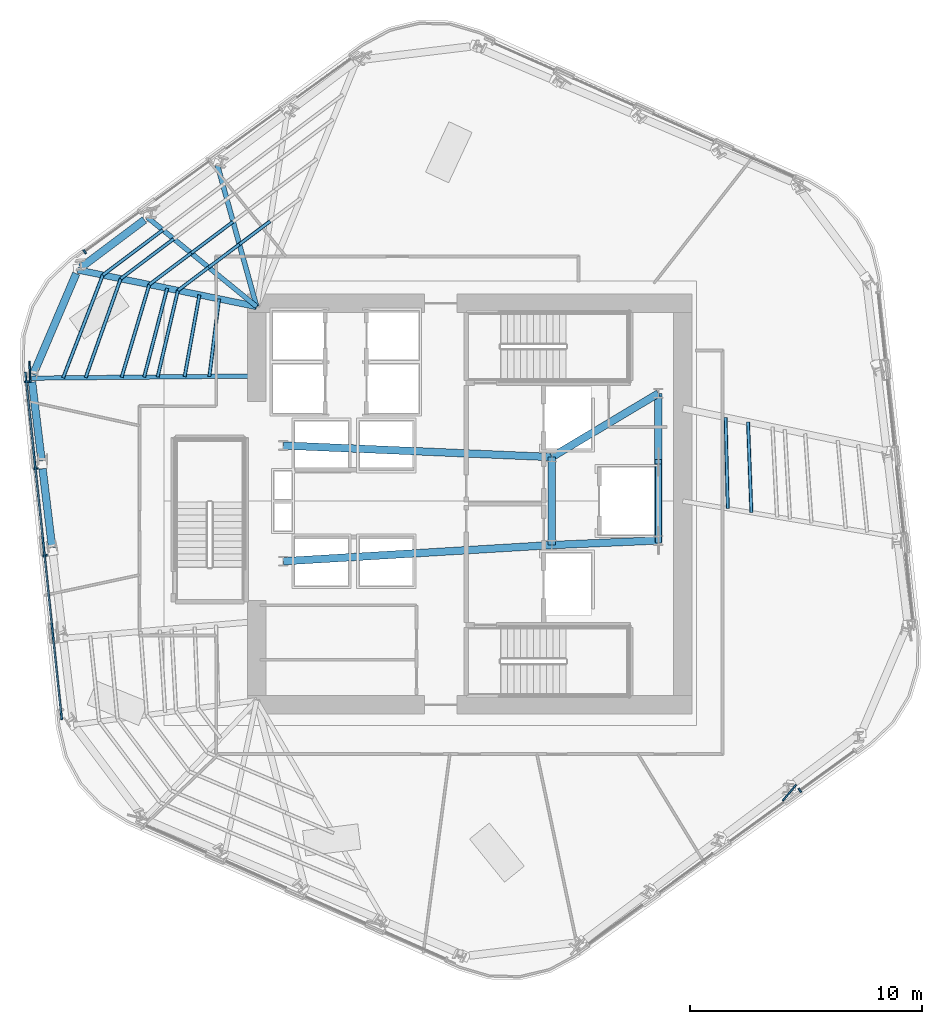
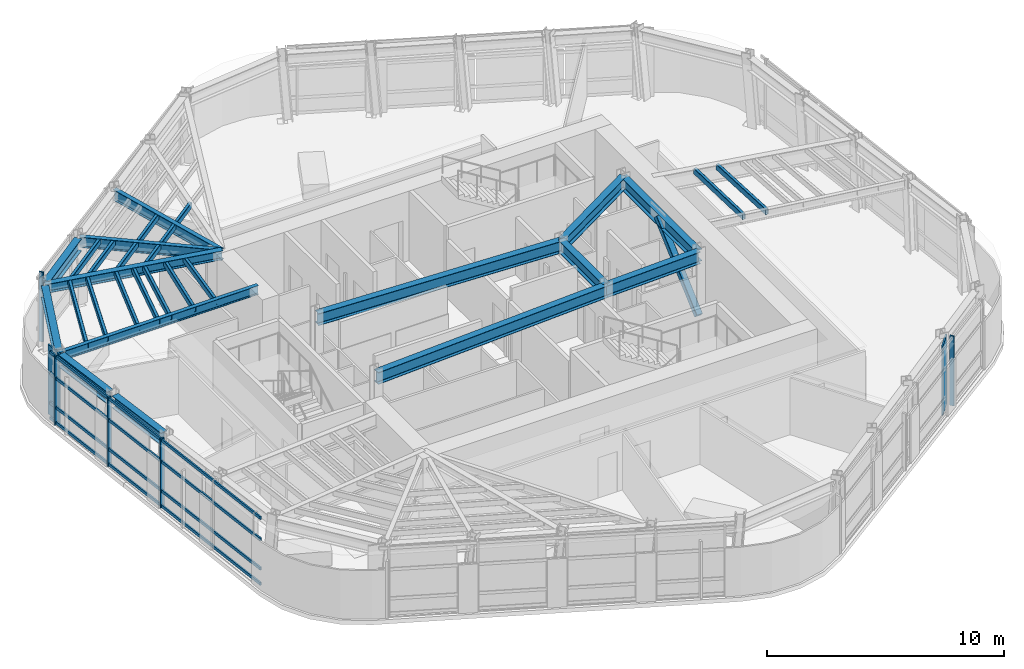
# One storey, part 4 of 14: 28 members, 14 beams, 3 elements without a shape of their own.
"""IFC4 building model written with IfcOpenShell, lengths in metres."""

from ifc_helpers import new_model, si_unit, direction, frame, origin, origin_2d, place, context, subcontext, project, spatial, rectangle, hollow_rectangle, i_section, extrude, material, layer, layer_set, material_profile, profile_set, type_object, element, aggregate, save


model = new_model("IFC4")

# Units and contexts
model_context = context("Model", 3, precision=1e-05, world=origin(), true_north=direction((0.0, 1.0)))
body_context = subcontext(model_context, "Body", "Model", "MODEL_VIEW")
ifc_project = project(units=[si_unit("LENGTHUNIT", "METRE"), si_unit("AREAUNIT", "SQUARE_METRE"), si_unit("VOLUMEUNIT", "CUBIC_METRE"), si_unit("PLANEANGLEUNIT", "RADIAN"), si_unit("MASSUNIT", "GRAM", prefix="KILO")], contexts=[model_context])

# Site, building, storey
site_placement = place(None, origin())
site = spatial("IfcSite", under=ifc_project, at=site_placement, CompositionType="ELEMENT")
building_placement = place(site_placement, origin())
building = spatial("IfcBuilding", under=site, at=building_placement, Name="Valkerne Bourse Tower", CompositionType="ELEMENT")
storey_placement = place(building_placement, frame((0.0, 0.0, 178.0)))
storey = spatial("IfcBuildingStorey", under=building, at=storey_placement, Name="L45", CompositionType="ELEMENT", Elevation=178.0)

# Beams
ifc_material_1 = material(Name="Steel ASTM A992", Category="steel")
ifc_material_profile_1 = material_profile(ifc_material_1, i_section(OverallWidth=0.1904296875, OverallDepth=0.457275390625, WebThickness=0.009033203125, FlangeThickness=0.014404296875, FilletRadius=0.01513671875, at=origin_2d()), Name="W18X50")
ifc_profile_set_1 = profile_set([ifc_material_profile_1], Name="Steel ASTM A992")
beam_type_1 = type_object("IfcBeamType", Name="BM-W18X50", PredefinedType="JOIST", material=ifc_profile_set_1)
beam_1_placement = place(storey_placement, frame((27.882080078125, 32.3076171875, 3.351318359375), z_axis=(0.999954913245, 0.009495866278, 0.0), x_axis=(-0.009495866278, 0.999954913245, 0.0)))
element("IfcBeam", 1, at=beam_1_placement, inside=storey, type_object=beam_type_1, Name="L45 Radial Composite Floor Beam 10", PredefinedType="JOIST", context=body_context, shape_type="SweptSolid", body=[
    extrude(i_section(OverallWidth=0.1904296875, OverallDepth=0.457275390625, WebThickness=0.009033203125, FlangeThickness=0.014404296875, FilletRadius=0.01513671875, at=origin_2d()), origin(), (0.0, 0.0, 1.0), 9.718505859375),
])
ifc_material_profile_2 = material_profile(ifc_material_1, i_section(OverallWidth=0.279296875, OverallDepth=0.46240234375, WebThickness=0.0107421875, FlangeThickness=0.017333984375, FilletRadius=0.017822265625, at=origin_2d()), Name="W18X76")
ifc_profile_set_2 = profile_set([ifc_material_profile_2], Name="Steel ASTM A992")
beam_type_2 = type_object("IfcBeamType", Name="BM-W18X76", PredefinedType="BEAM", material=ifc_profile_set_2)
beam_2_placement = place(storey_placement, frame((29.875244140625, 36.98046875, 3.348876953125), z_axis=(0.979702910642, -0.200454999636, 0.0), x_axis=(0.200454999636, 0.979702910642, 0.0)))
element("IfcBeam", 2, at=beam_2_placement, inside=storey, type_object=beam_type_2, Name="L45 Radial Composite Floor Beam 09", PredefinedType="BEAM", context=body_context, shape_type="SweptSolid", body=[
    extrude(i_section(OverallWidth=0.279296875, OverallDepth=0.46240234375, WebThickness=0.0107421875, FlangeThickness=0.017333984375, FilletRadius=0.017822265625, at=origin_2d()), origin(), (0.0, 0.0, 1.0), 7.885009765625),
])
ifc_material_profile_3 = material_profile(ifc_material_1, i_section(OverallWidth=0.209228515625, OverallDepth=0.533447265625, WebThickness=0.01025390625, FlangeThickness=0.015625, FilletRadius=0.017822265625, at=origin_2d()), Name="W21X62")
ifc_profile_set_3 = profile_set([ifc_material_profile_3], Name="Steel ASTM A992")
beam_type_3 = type_object("IfcBeamType", Name="BM-W21X62", PredefinedType="JOIST", material=ifc_profile_set_3)
beam_3_placement = place(storey_placement, frame((32.890869140625, 39.24462890625, 3.313232421875), z_axis=(0.774624261904, -0.632421736557, 0.0), x_axis=(0.632421736557, 0.774624261904, 0.0)))
element("IfcBeam", 3, at=beam_3_placement, inside=storey, type_object=beam_type_3, Name="L45 Radial Composite Floor Beam 08", PredefinedType="JOIST", context=body_context, shape_type="SweptSolid", body=[
    extrude(i_section(OverallWidth=0.209228515625, OverallDepth=0.533447265625, WebThickness=0.01025390625, FlangeThickness=0.015625, FilletRadius=0.017822265625, at=origin_2d()), origin(), (0.0, 0.0, 1.0), 6.079345703125),
])
ifc_material_profile_4 = material_profile(ifc_material_1, i_section(OverallWidth=0.2138671875, OverallDepth=0.548583984375, WebThickness=0.0146484375, FlangeThickness=0.023681640625, FilletRadius=0.017822265625, at=origin_2d()), Name="W21X93")
ifc_profile_set_4 = profile_set([ifc_material_profile_4], Name="Steel ASTM A992")
beam_type_4 = type_object("IfcBeamType", Name="BM-W21X93", PredefinedType="BEAM", material=ifc_profile_set_4)
beam_4_placement = place(storey_placement, frame((35.906494140625, 41.5087890625, 3.3056640625), z_axis=(0.267159172024, -0.963652414932, 0.0), x_axis=(0.963652414932, 0.267159172024, 0.0)))
element("IfcBeam", 4, at=beam_4_placement, inside=storey, type_object=beam_type_4, Name="L45 Radial Composite Floor Beam 07", PredefinedType="BEAM", context=body_context, shape_type="SweptSolid", body=[
    extrude(i_section(OverallWidth=0.2138671875, OverallDepth=0.548583984375, WebThickness=0.0146484375, FlangeThickness=0.023681640625, FilletRadius=0.017822265625, at=origin_2d()), origin(), (0.0, 0.0, 1.0), 6.33935546875),
])
ifc_material_profile_5 = material_profile(ifc_material_1, i_section(OverallWidth=0.3251953125, OverallDepth=0.612060546875, WebThickness=0.0126953125, FlangeThickness=0.01904296875, FilletRadius=0.020263671875, at=origin_2d()), Name="W24X104")
ifc_profile_set_5 = profile_set([ifc_material_profile_5], Name="Steel ASTM A992")
beam_type_5 = type_object("IfcBeamType", Name="BM-W24X104", PredefinedType="BEAM", material=ifc_profile_set_5)
beam_5_placement = place(storey_placement, frame((50.35009765625, 25.10009765625, 3.27392578125), z_axis=(0.0, 1.0, 0.0), x_axis=(-1.0, 0.0, 0.0)))
element("IfcBeam", 5, at=beam_5_placement, inside=storey, type_object=beam_type_5, Name="L45 Core Frame Girder CG-CE", PredefinedType="BEAM", context=body_context, shape_type="SweptSolid", body=[
    extrude(i_section(OverallWidth=0.3251953125, OverallDepth=0.612060546875, WebThickness=0.0126953125, FlangeThickness=0.01904296875, FilletRadius=0.020263671875, at=origin_2d()), origin(), (0.0, 0.0, 1.0), 3.7998046875),
])
beam_6_placement = place(storey_placement, frame((50.35009765625, 25.10009765625, 3.27392578125), z_axis=(0.999056558506, 0.043428019819, 0.0), x_axis=(-0.043428019819, 0.999056558506, 0.0)))
element("IfcBeam", 6, at=beam_6_placement, inside=storey, type_object=beam_type_5, Name="L45 Core Frame Girder CG-SE", PredefinedType="BEAM", context=body_context, shape_type="SweptSolid", body=[
    extrude(i_section(OverallWidth=0.3251953125, OverallDepth=0.612060546875, WebThickness=0.0126953125, FlangeThickness=0.01904296875, FilletRadius=0.020263671875, at=origin_2d()), origin(), (0.0, 0.0, 1.0), 4.604248046875),
])
beam_7_placement = place(storey_placement, frame((50.35009765625, 28.89990234375, 3.27392578125), z_axis=(0.858307823492, 0.513135148019, 0.0), x_axis=(-0.513135148019, 0.858307823492, 0.0)))
element("IfcBeam", 7, at=beam_7_placement, inside=storey, type_object=beam_type_5, Name="L45 Core Frame Girder CG-NE", PredefinedType="BEAM", context=body_context, shape_type="SweptSolid", body=[
    extrude(i_section(OverallWidth=0.3251953125, OverallDepth=0.612060546875, WebThickness=0.0126953125, FlangeThickness=0.01904296875, FilletRadius=0.020263671875, at=origin_2d()), origin(), (0.0, 0.0, 1.0), 5.359130859375),
])
beam_8_placement = place(storey_placement, frame((54.949951171875, 25.300048828125, 3.27392578125), z_axis=(0.0, 1.0, 0.0), x_axis=(-1.0, 0.0, 0.0)))
element("IfcBeam", 8, at=beam_8_placement, inside=storey, type_object=beam_type_5, Name="L45 Core Frame Girder CG-EE", PredefinedType="BEAM", context=body_context, shape_type="SweptSolid", body=[
    extrude(i_section(OverallWidth=0.3251953125, OverallDepth=0.612060546875, WebThickness=0.0126953125, FlangeThickness=0.01904296875, FilletRadius=0.020263671875, at=origin_2d()), origin(), (0.0, 0.0, 1.0), 6.349853515625),
])
beam_9_placement = place(storey_placement, frame((38.75, 24.39990234375, 3.27392578125), z_axis=(0.998183228389, 0.060251494276, 0.0), x_axis=(-0.060251494276, 0.998183228389, 0.0)))
element("IfcBeam", 9, at=beam_9_placement, inside=storey, type_object=beam_type_5, Name="L45 Core Frame Girder CG-SW", PredefinedType="BEAM", context=body_context, shape_type="SweptSolid", body=[
    extrude(i_section(OverallWidth=0.3251953125, OverallDepth=0.612060546875, WebThickness=0.0126953125, FlangeThickness=0.01904296875, FilletRadius=0.020263671875, at=origin_2d()), origin(), (0.0, 0.0, 1.0), 11.62109375),
])
beam_10_placement = place(storey_placement, frame((38.75, 29.39990234375, 3.27392578125), z_axis=(0.999072354402, -0.043063101019, 0.0), x_axis=(0.043063101019, 0.999072354402, 0.0)))
element("IfcBeam", 10, at=beam_10_placement, inside=storey, type_object=beam_type_5, Name="L45 Core Frame Girder CG-NW", PredefinedType="BEAM", context=body_context, shape_type="SweptSolid", body=[
    extrude(i_section(OverallWidth=0.3251953125, OverallDepth=0.612060546875, WebThickness=0.0126953125, FlangeThickness=0.01904296875, FilletRadius=0.020263671875, at=origin_2d()), origin(), (0.0, 0.0, 1.0), 11.61083984375),
])
ifc_material_profile_6 = material_profile(ifc_material_1, i_section(OverallWidth=0.32763671875, OverallDepth=0.62744140625, WebThickness=0.0166015625, FlangeThickness=0.027587890625, FilletRadius=0.020263671875, at=origin_2d()), Name="W24X146")
ifc_profile_set_6 = profile_set([ifc_material_profile_6], Name="Steel ASTM A992")
beam_type_6 = type_object("IfcBeamType", Name="BM-W24X146", PredefinedType="SPANDREL", material=ifc_profile_set_6)
beam_11_placement = place(storey_placement, frame((32.7548828125, 39.142578125, 3.266357421875), z_axis=(-0.799701053501, -0.600398388597, 0.0), x_axis=(0.600398388597, -0.799701053501, 0.0)))
element("IfcBeam", 11, at=beam_11_placement, inside=storey, type_object=beam_type_6, Name="L45 Hexagonal Spandrel Ring Beam 08", PredefinedType="SPANDREL", context=body_context, shape_type="SweptSolid", body=[
    extrude(i_section(OverallWidth=0.32763671875, OverallDepth=0.62744140625, WebThickness=0.0166015625, FlangeThickness=0.027587890625, FilletRadius=0.020263671875, at=origin_2d()), origin(), (0.0, 0.0, 1.0), 3.43115234375),
])
beam_12_placement = place(storey_placement, frame((29.80859375, 36.82421875, 3.266357421875), z_axis=(-0.392358510928, -0.919812371575, 0.0), x_axis=(0.919812371575, -0.392358510928, 0.0)))
element("IfcBeam", 12, at=beam_12_placement, inside=storey, type_object=beam_type_6, Name="L45 Hexagonal Spandrel Ring Beam 09", PredefinedType="SPANDREL", context=body_context, shape_type="SweptSolid", body=[
    extrude(i_section(OverallWidth=0.32763671875, OverallDepth=0.62744140625, WebThickness=0.0166015625, FlangeThickness=0.027587890625, FilletRadius=0.020263671875, at=origin_2d()), origin(), (0.0, 0.0, 1.0), 4.740234375),
])
beam_13_placement = place(storey_placement, frame((27.902587890625, 32.138916015625, 3.266357421875), z_axis=(0.120118849374, -0.992759518728, 0.0), x_axis=(0.992759518728, 0.120118849374, 0.0)))
element("IfcBeam", 13, at=beam_13_placement, inside=storey, type_object=beam_type_6, Name="L45 Hexagonal Spandrel Ring Beam 10", PredefinedType="SPANDREL", context=body_context, shape_type="SweptSolid", body=[
    extrude(i_section(OverallWidth=0.32763671875, OverallDepth=0.62744140625, WebThickness=0.0166015625, FlangeThickness=0.027587890625, FilletRadius=0.020263671875, at=origin_2d()), origin(), (0.0, 0.0, 1.0), 3.430908203125),
])
beam_14_placement = place(storey_placement, frame((28.35546875, 28.395263671875, 3.266357421875), z_axis=(0.120180492152, -0.992752058324, 0.0), x_axis=(0.992752058324, 0.120180492152, 0.0)))
element("IfcBeam", 14, at=beam_14_placement, inside=storey, type_object=beam_type_6, Name="L45 Hexagonal Spandrel Ring Beam 11", PredefinedType="SPANDREL", context=body_context, shape_type="SweptSolid", body=[
    extrude(i_section(OverallWidth=0.32763671875, OverallDepth=0.62744140625, WebThickness=0.0166015625, FlangeThickness=0.027587890625, FilletRadius=0.020263671875, at=origin_2d()), origin(), (0.0, 0.0, 1.0), 3.43115234375),
])

# Curtain wall, member
ifc_material_2 = material(Name="Aluminium AA 6063-T6", Category="aluminium")
ifc_layer = layer(ifc_material_2, 0.235107421875)
ifc_layer_set = layer_set([ifc_layer], Name="Aluminium AA 6063-T6")
curtain_wall_type = type_object("IfcCurtainWallType", Name="CW-03", PredefinedType="NOTDEFINED", material=ifc_layer_set)
curtain_wall_1_placement = place(storey_placement, origin())
curtain_wall_1 = element("IfcCurtainWall", 15, at=curtain_wall_1_placement, inside=storey, type_object=curtain_wall_type, Name="L45 Hexagonal Stick Curtain Wall Face 2", PredefinedType="NOTDEFINED")
ifc_material_profile_7 = material_profile(ifc_material_2, rectangle(XDim=0.074951171875, YDim=0.199951171875, at=origin_2d()), Name="CWM-75X200")
ifc_profile_set_7 = profile_set([ifc_material_profile_7], Name="Aluminium AA 6063-T6")
member_type_1 = type_object("IfcMemberType", Name="CW-MUL-220X75", PredefinedType="MULLION", material=ifc_profile_set_7)
member_1_placement = place(storey_placement, frame((30.174072265625, 37.76708984375, 0.0), z_axis=(0.0, 0.0, 1.0), x_axis=(-0.809021527022, -0.587779013589, 0.0)))
member_1 = element("IfcMember", 16, at=member_1_placement, type_object=member_type_1, Name="CW-L45-F2 Jamb Mullion 03B", PredefinedType="MULLION", context=body_context, shape_type="SweptSolid", body=[
    extrude(rectangle(XDim=0.074951171875, YDim=0.199951171875, at=origin_2d()), origin(), (0.0, 0.0, 1.0), 3.580078125),
])
aggregate(curtain_wall_1, [member_1])

# Curtain wall, members
curtain_wall_2_placement = place(storey_placement, origin())
curtain_wall_2 = element("IfcCurtainWall", 17, at=curtain_wall_2_placement, inside=storey, type_object=curtain_wall_type, Name="L45 Hexagonal Stick Curtain Wall Face 3", PredefinedType="NOTDEFINED")
member_2_placement = place(storey_placement, frame((27.673583984375, 32.15087890625, 0.0), z_axis=(0.0, 0.0, 1.0), x_axis=(0.104535698832, -0.994521134853, 0.0)))
member_2 = element("IfcMember", 18, at=member_2_placement, type_object=member_type_1, Name="CW-L45-F3 Jamb Mullion 00A", PredefinedType="MULLION", context=body_context, shape_type="SweptSolid", body=[
    extrude(rectangle(XDim=0.074951171875, YDim=0.199951171875, at=origin_2d()), origin(), (0.0, 0.0, 1.0), 3.580078125),
])
member_3_placement = place(storey_placement, frame((28.06787109375, 28.400634765625, 0.0), z_axis=(0.0, 0.0, 1.0), x_axis=(0.104532941982, -0.994521424626, 0.0)))
member_3 = element("IfcMember", 19, at=member_3_placement, type_object=member_type_1, Name="CW-L45-F3 Jamb Mullion 01A", PredefinedType="MULLION", context=body_context, shape_type="SweptSolid", body=[
    extrude(rectangle(XDim=0.074951171875, YDim=0.199951171875, at=origin_2d()), origin(), (0.0, 0.0, 1.0), 3.580078125),
])
member_4_placement = place(storey_placement, frame((28.4619140625, 24.650390625, 0.0), z_axis=(0.0, 0.0, 1.0), x_axis=(0.104509470074, -0.99452389145, 0.0)))
member_4 = element("IfcMember", 20, at=member_4_placement, type_object=member_type_1, Name="CW-L45-F3 Jamb Mullion 02A", PredefinedType="MULLION", context=body_context, shape_type="SweptSolid", body=[
    extrude(rectangle(XDim=0.074951171875, YDim=0.199951171875, at=origin_2d()), origin(), (0.0, 0.0, 1.0), 3.580078125),
])

# Curtain wall, member
curtain_wall_3_placement = place(storey_placement, origin())
curtain_wall_3 = element("IfcCurtainWall", 21, at=curtain_wall_3_placement, inside=storey, type_object=curtain_wall_type, Name="L45 Hexagonal Stick Curtain Wall Face 5", PredefinedType="NOTDEFINED")
member_5_placement = place(storey_placement, frame((61.0546875, 14.51025390625, 0.0), z_axis=(0.0, 0.0, 1.0), x_axis=(0.809021527022, 0.587779013589, 0.0)))
member_5 = element("IfcMember", 22, at=member_5_placement, type_object=member_type_1, Name="CW-L45-F5 Jamb Mullion 03A", PredefinedType="MULLION", context=body_context, shape_type="SweptSolid", body=[
    extrude(rectangle(XDim=0.074951171875, YDim=0.199951171875, at=origin_2d()), origin(), (0.0, 0.0, 1.0), 3.580078125),
])
aggregate(curtain_wall_3, [member_5])

# Member
ifc_material_profile_8 = material_profile(ifc_material_2, rectangle(XDim=0.074951171875, YDim=0.14990234375, at=origin_2d()), Name="CWT-75X150")
ifc_profile_set_8 = profile_set([ifc_material_profile_8], Name="Aluminium AA 6063-T6")
member_type_2 = type_object("IfcMemberType", Name="CW-TRN-180X65", PredefinedType="USERDEFINED", material=ifc_profile_set_8)
member_6_placement = place(storey_placement, frame((27.60986328125, 32.566650390625, 0.1201171875), z_axis=(0.104524703838, -0.994522290493, 0.0), x_axis=(0.994522290493, 0.104524703838, 0.0)))
member_6 = element("IfcMember", 23, at=member_6_placement, type_object=member_type_2, Name="CW-L45-F3 Continuous Face Transom 1", ObjectType="TRANSOM", PredefinedType="USERDEFINED", context=body_context, shape_type="SweptSolid", body=[
    extrude(rectangle(XDim=0.074951171875, YDim=0.14990234375, at=origin_2d()), origin(), (0.0, 0.0, 1.0), 15.083984375),
])

member_7_placement = place(storey_placement, frame((27.60986328125, 32.566650390625, 0.89990234375), z_axis=(0.104524703838, -0.994522290493, 0.0), x_axis=(0.994522290493, 0.104524703838, 0.0)))
member_7 = element("IfcMember", 24, at=member_7_placement, type_object=member_type_2, Name="CW-L45-F3 Continuous Face Transom 2", ObjectType="TRANSOM", PredefinedType="USERDEFINED", context=body_context, shape_type="SweptSolid", body=[
    extrude(rectangle(XDim=0.074951171875, YDim=0.14990234375, at=origin_2d()), origin(), (0.0, 0.0, 1.0), 15.083984375),
])

member_8_placement = place(storey_placement, frame((27.60986328125, 32.566650390625, 2.39990234375), z_axis=(0.104524703838, -0.994522290493, 0.0), x_axis=(0.994522290493, 0.104524703838, 0.0)))
member_8 = element("IfcMember", 25, at=member_8_placement, type_object=member_type_2, Name="CW-L45-F3 Continuous Face Transom 3", ObjectType="TRANSOM", PredefinedType="USERDEFINED", context=body_context, shape_type="SweptSolid", body=[
    extrude(rectangle(XDim=0.074951171875, YDim=0.14990234375, at=origin_2d()), origin(), (0.0, 0.0, 1.0), 15.083984375),
])

member_9_placement = place(storey_placement, frame((27.60986328125, 32.566650390625, 3.5), z_axis=(0.104524703838, -0.994522290493, 0.0), x_axis=(0.994522290493, 0.104524703838, 0.0)))
member_9 = element("IfcMember", 26, at=member_9_placement, type_object=member_type_2, Name="CW-L45-F3 Continuous Face Transom 4", ObjectType="TRANSOM", PredefinedType="USERDEFINED", context=body_context, shape_type="SweptSolid", body=[
    extrude(rectangle(XDim=0.074951171875, YDim=0.14990234375, at=origin_2d()), origin(), (0.0, 0.0, 1.0), 15.083984375),
])

aggregate(curtain_wall_2, [member_6, member_7, member_8, member_9, member_2, member_3, member_4])

# Members
ifc_material_3 = material(Name="Bronze Anodised Aluminium AA 6063-T6", Category="aluminium")
ifc_material_profile_9 = material_profile(ifc_material_3, rectangle(XDim=0.070068359375, YDim=0.89990234375, at=origin_2d()), Name="FIN-70X900")
ifc_profile_set_9 = profile_set([ifc_material_profile_9], Name="Bronze Anodised Aluminium AA 6063-T6")
member_type_3 = type_object("IfcMemberType", Name="FIN-SOLAR-900", PredefinedType="USERDEFINED", material=ifc_profile_set_9)
for number, where, z_axis, x_axis, name in (
    (27, (27.80859375, 32.58740234375, 0.00390625), (0.0, 0.0, 1.0), (-0.99937593593, -0.03532334474, 0.0), "L45 Bronze Anodised Solar Fin F3-00"),
    (28, (60.609130859375, 14.408935546875, 0.00390625), (0.0, 0.0, 1.0), (0.761682653055, -0.647950257378, 0.0), "L45 Bronze Anodised Solar Fin F5-03"),
):
    element("IfcMember", number, at=place(storey_placement, frame(where, z_axis=z_axis, x_axis=x_axis)), inside=storey, type_object=member_type_3, Name=name, ObjectType="SOLAR_FIN", PredefinedType="USERDEFINED", context=body_context, shape_type="SweptSolid", body=[
        extrude(rectangle(XDim=0.070068359375, YDim=0.89990234375, at=origin_2d()), origin(), (0.0, 0.0, 1.0), 3.572021484375),
    ])
ifc_material_4 = material(Name="Steel ASTM A500 Grade C", Category="steel")
ifc_material_profile_10 = material_profile(ifc_material_4, hollow_rectangle(XDim=0.14990234375, YDim=0.300048828125, WallThickness=0.012451171875, OuterFilletRadius=0.02490234375, at=origin_2d()), Name="HSS300X150X12.5")
ifc_profile_set_10 = profile_set([ifc_material_profile_10], Name="Steel ASTM A500 Grade C")
member_type_4 = type_object("IfcMemberType", Name="MBR-HSS300X150X12.5", PredefinedType="PURLIN", material=ifc_profile_set_10)
member_10_placement = place(storey_placement, frame((35.128173828125, 35.90576171875, 3.419921875), z_axis=(-0.177587460088, -0.984105021844, 0.0), x_axis=(0.984105021844, -0.177587460088, 0.0)))
element("IfcMember", 29, at=member_10_placement, inside=storey, type_object=member_type_4, Name="L45 Secondary Composite Floor Purlin I-09", PredefinedType="PURLIN", context=body_context, shape_type="SweptSolid", body=[
    extrude(hollow_rectangle(XDim=0.14990234375, YDim=0.300048828125, WallThickness=0.012451171875, OuterFilletRadius=0.02490234375, at=origin_2d()), origin(), (0.0, 0.0, 1.0), 3.59228515625),
])
member_11_placement = place(storey_placement, frame((58.96484375, 26.49951171875, 3.419921875), z_axis=(-0.036988628975, 0.999315686521, 0.0), x_axis=(-0.999315686521, -0.036988628975, 0.0)))
element("IfcMember", 30, at=member_11_placement, inside=storey, type_object=member_type_4, Name="L45 Secondary Composite Floor Purlin I-26", PredefinedType="PURLIN", context=body_context, shape_type="SweptSolid", body=[
    extrude(hollow_rectangle(XDim=0.14990234375, YDim=0.300048828125, WallThickness=0.012451171875, OuterFilletRadius=0.02490234375, at=origin_2d()), origin(), (0.0, 0.0, 1.0), 3.920654296875),
])
member_12_placement = place(storey_placement, frame((38.181640625, 39.083984375, 3.419921875), z_axis=(-0.799735060396, -0.600353090417, 0.0), x_axis=(0.600353090417, -0.799735060396, 0.0)))
element("IfcMember", 31, at=member_12_placement, inside=storey, type_object=member_type_4, Name="L45 Secondary Composite Floor Purlin K-06", PredefinedType="PURLIN", context=body_context, shape_type="SweptSolid", body=[
    extrude(hollow_rectangle(XDim=0.14990234375, YDim=0.300048828125, WallThickness=0.012451171875, OuterFilletRadius=0.02490234375, at=origin_2d()), origin(), (0.0, 0.0, 1.0), 1.6591796875),
])
member_13_placement = place(storey_placement, frame((36.854736328125, 38.087890625, 3.419921875), z_axis=(-0.799682016337, -0.600423744324, 0.0), x_axis=(0.600423744324, -0.799682016337, 0.0)))
element("IfcMember", 32, at=member_13_placement, inside=storey, type_object=member_type_4, Name="L45 Secondary Composite Floor Purlin K-07", PredefinedType="PURLIN", context=body_context, shape_type="SweptSolid", body=[
    extrude(hollow_rectangle(XDim=0.14990234375, YDim=0.300048828125, WallThickness=0.012451171875, OuterFilletRadius=0.02490234375, at=origin_2d()), origin(), (0.0, 0.0, 1.0), 1.658935546875),
])
member_14_placement = place(storey_placement, frame((35.528076171875, 37.091796875, 3.419921875), z_axis=(-0.799664413165, -0.600447188616, 0.0), x_axis=(0.600447188616, -0.799664413165, 0.0)))
element("IfcMember", 33, at=member_14_placement, inside=storey, type_object=member_type_4, Name="L45 Secondary Composite Floor Purlin K-08", PredefinedType="PURLIN", context=body_context, shape_type="SweptSolid", body=[
    extrude(hollow_rectangle(XDim=0.14990234375, YDim=0.300048828125, WallThickness=0.012451171875, OuterFilletRadius=0.02490234375, at=origin_2d()), origin(), (0.0, 0.0, 1.0), 1.659423828125),
])
member_15_placement = place(storey_placement, frame((34.201171875, 36.095458984375, 3.419921875), z_axis=(-0.228514507183, -0.973540507635, 0.0), x_axis=(0.973540507635, -0.228514507183, 0.0)))
element("IfcMember", 34, at=member_15_placement, inside=storey, type_object=member_type_4, Name="L45 Secondary Composite Floor Purlin K-09", PredefinedType="PURLIN", context=body_context, shape_type="SweptSolid", body=[
    extrude(hollow_rectangle(XDim=0.14990234375, YDim=0.300048828125, WallThickness=0.012451171875, OuterFilletRadius=0.02490234375, at=origin_2d()), origin(), (0.0, 0.0, 1.0), 3.837646484375),
])
member_16_placement = place(storey_placement, frame((33.737548828125, 36.190185546875, 3.419921875), z_axis=(-0.251366141382, -0.967892071962, 0.0), x_axis=(0.967892071962, -0.251366141382, 0.0)))
element("IfcMember", 35, at=member_16_placement, inside=storey, type_object=member_type_4, Name="L45 Secondary Composite Floor Purlin M-09", PredefinedType="PURLIN", context=body_context, shape_type="SweptSolid", body=[
    extrude(hollow_rectangle(XDim=0.14990234375, YDim=0.300048828125, WallThickness=0.012451171875, OuterFilletRadius=0.02490234375, at=origin_2d()), origin(), (0.0, 0.0, 1.0), 3.963623046875),
])
member_17_placement = place(storey_placement, frame((34.02099609375, 38.322021484375, 3.419921875), z_axis=(-0.799682979847, -0.600422461059, 0.0), x_axis=(0.600422461059, -0.799682979847, 0.0)))
element("IfcMember", 36, at=member_17_placement, inside=storey, type_object=member_type_4, Name="L45 Secondary Composite Floor Purlin O-08", PredefinedType="PURLIN", context=body_context, shape_type="SweptSolid", body=[
    extrude(hollow_rectangle(XDim=0.14990234375, YDim=0.300048828125, WallThickness=0.012451171875, OuterFilletRadius=0.02490234375, at=origin_2d()), origin(), (0.0, 0.0, 1.0), 2.86572265625),
])
member_18_placement = place(storey_placement, frame((31.729248046875, 36.601318359375, 3.419921875), z_axis=(-0.33425396053, -0.942483044871, 0.0), x_axis=(0.942483044871, -0.33425396053, 0.0)))
element("IfcMember", 37, at=member_18_placement, inside=storey, type_object=member_type_4, Name="L45 Secondary Composite Floor Purlin O-09", PredefinedType="PURLIN", context=body_context, shape_type="SweptSolid", body=[
    extrude(hollow_rectangle(XDim=0.14990234375, YDim=0.300048828125, WallThickness=0.012451171875, OuterFilletRadius=0.02490234375, at=origin_2d()), origin(), (0.0, 0.0, 1.0), 4.5322265625),
])
for number, where, z_axis, x_axis, name in (
    (38, (36.583740234375, 39.065185546875, 3.419921875), (-0.799702076896, -0.600397025482, 0.0), (0.600397025482, -0.799702076896, 0.0), "L45 Secondary Composite Floor Purlin Z-07"),
    (39, (34.7744140625, 37.706787109375, 3.419921875), (-0.799702076896, -0.600397025482, 0.0), (0.600397025482, -0.799702076896, 0.0), "L45 Secondary Composite Floor Purlin Z-08"),
):
    element("IfcMember", number, at=place(storey_placement, frame(where, z_axis=z_axis, x_axis=x_axis)), inside=storey, type_object=member_type_4, Name=name, PredefinedType="PURLIN", context=body_context, shape_type="SweptSolid", body=[
        extrude(hollow_rectangle(XDim=0.14990234375, YDim=0.300048828125, WallThickness=0.012451171875, OuterFilletRadius=0.02490234375, at=origin_2d()), origin(), (0.0, 0.0, 1.0), 2.262451171875),
    ])
member_19_placement = place(storey_placement, frame((32.965087890625, 36.348388671875, 3.419921875), z_axis=(-0.286168436129, -0.958179328812, 0.0), x_axis=(0.958179328812, -0.286168436129, 0.0)))
element("IfcMember", 40, at=member_19_placement, inside=storey, type_object=member_type_4, Name="L45 Secondary Composite Floor Purlin Z-09", PredefinedType="PURLIN", context=body_context, shape_type="SweptSolid", body=[
    extrude(hollow_rectangle(XDim=0.14990234375, YDim=0.300048828125, WallThickness=0.012451171875, OuterFilletRadius=0.02490234375, at=origin_2d()), origin(), (0.0, 0.0, 1.0), 4.1787109375),
])
member_20_placement = place(storey_placement, frame((35.977783203125, 35.73193359375, 3.419921875), z_axis=(-0.123972456188, -0.992285659529, 0.0), x_axis=(0.992285659529, -0.123972456188, 0.0)))
element("IfcMember", 41, at=member_20_placement, inside=storey, type_object=member_type_4, Name="L45 Secondary Composite Floor Purlin S-09", PredefinedType="PURLIN", context=body_context, shape_type="SweptSolid", body=[
    extrude(hollow_rectangle(XDim=0.14990234375, YDim=0.300048828125, WallThickness=0.012451171875, OuterFilletRadius=0.02490234375, at=origin_2d()), origin(), (0.0, 0.0, 1.0), 3.37744140625),
])
member_21_placement = place(storey_placement, frame((57.945556640625, 26.671630859375, 3.419921875), z_axis=(-0.02406034694, 0.99971050795, 0.0), x_axis=(-0.99971050795, -0.02406034694, 0.0)))
element("IfcMember", 42, at=member_21_placement, inside=storey, type_object=member_type_4, Name="L45 Secondary Composite Floor Purlin S-26", PredefinedType="PURLIN", context=body_context, shape_type="SweptSolid", body=[
    extrude(hollow_rectangle(XDim=0.14990234375, YDim=0.300048828125, WallThickness=0.012451171875, OuterFilletRadius=0.02490234375, at=origin_2d()), origin(), (0.0, 0.0, 1.0), 3.947265625),
])
member_22_placement = place(storey_placement, frame((33.550048828125, 38.706298828125, 3.419921875), z_axis=(-0.799692726427, -0.600409479689, 0.0), x_axis=(0.600409479689, -0.799692726427, 0.0)))
element("IfcMember", 43, at=member_22_placement, inside=storey, type_object=member_type_4, Name="L45 Secondary Composite Floor Purlin T-08", PredefinedType="PURLIN", context=body_context, shape_type="SweptSolid", body=[
    extrude(hollow_rectangle(XDim=0.14990234375, YDim=0.300048828125, WallThickness=0.012451171875, OuterFilletRadius=0.02490234375, at=origin_2d()), origin(), (0.0, 0.0, 1.0), 3.242919921875),
])
member_23_placement = place(storey_placement, frame((30.956787109375, 36.75927734375, 3.419921875), z_axis=(-0.360244031252, -0.932858101722, 0.0), x_axis=(0.932858101722, -0.360244031252, 0.0)))
element("IfcMember", 44, at=member_23_placement, inside=storey, type_object=member_type_4, Name="L45 Secondary Composite Floor Purlin T-09", PredefinedType="PURLIN", context=body_context, shape_type="SweptSolid", body=[
    extrude(hollow_rectangle(XDim=0.14990234375, YDim=0.300048828125, WallThickness=0.012451171875, OuterFilletRadius=0.02490234375, at=origin_2d()), origin(), (0.0, 0.0, 1.0), 4.75830078125),
])
ifc_material_profile_11 = material_profile(ifc_material_4, hollow_rectangle(XDim=0.300048828125, YDim=0.300048828125, WallThickness=0.012451171875, OuterFilletRadius=0.02490234375, at=origin_2d()), Name="HSS300X300X12.5")
ifc_profile_set_11 = profile_set([ifc_material_profile_11], Name="Steel ASTM A500 Grade C")
member_type_5 = type_object("IfcMemberType", Name="MBR-HSS300X300X12.5", PredefinedType="STRUT", material=ifc_profile_set_11)
member_24_placement = place(storey_placement, frame((54.949951171875, 25.300048828125, 0.219970703125), z_axis=(0.0, 0.743941933778, 0.668244266094), x_axis=(-1.0, 0.0, 0.0)))
element("IfcMember", 45, at=member_24_placement, inside=storey, type_object=member_type_5, Name="L45 Core Service Pier Lateral Brace", PredefinedType="STRUT", context=body_context, shape_type="SweptSolid", body=[
    extrude(hollow_rectangle(XDim=0.300048828125, YDim=0.300048828125, WallThickness=0.012451171875, OuterFilletRadius=0.02490234375, at=origin_2d()), origin(), (0.0, 0.0, 1.0), 4.570068359375),
])

save(model, "model.ifc")
